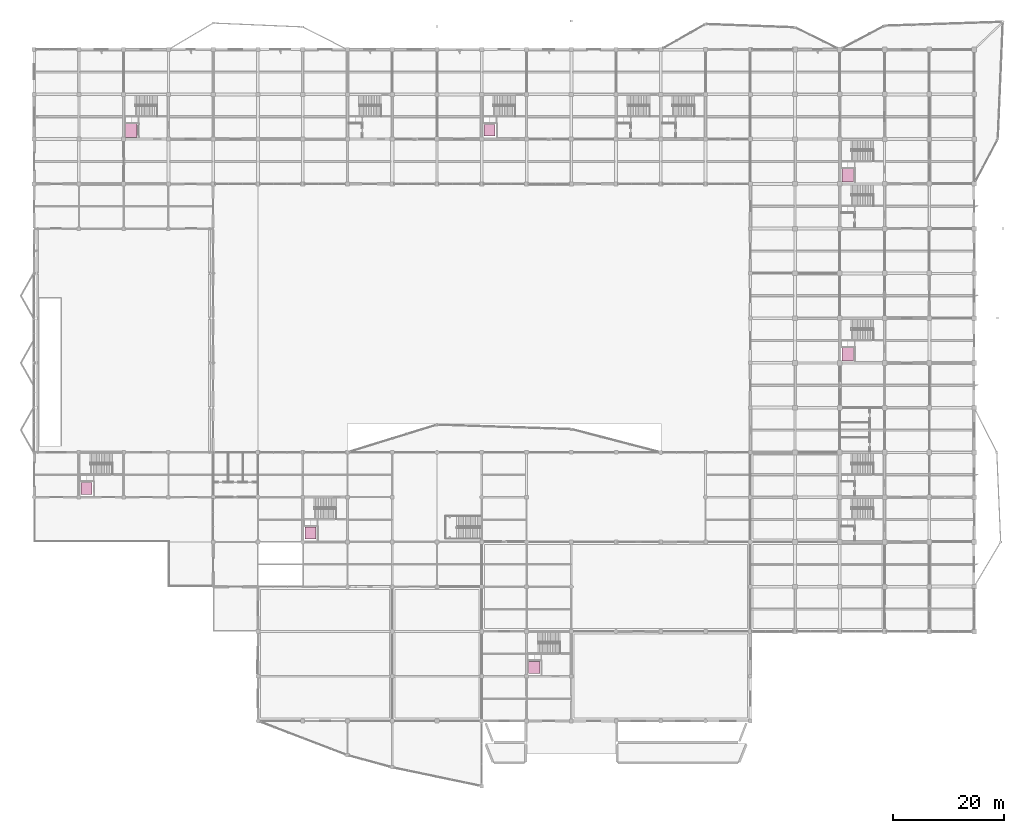
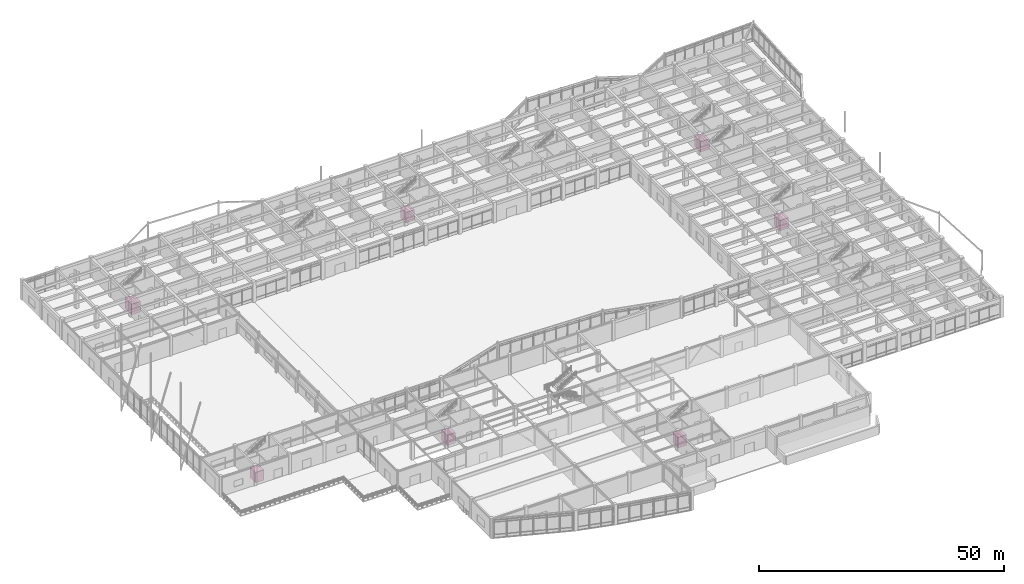
# One storey, part 99 of 99: 7 transport elements.
"""IFC4 building model written with IfcOpenShell, lengths in metres."""

import ifcopenshell
import ifcopenshell.guid

model = None  # the IFC model being written
_history = None  # IfcOwnerHistory: only IFC2X3 demands one
_inside = {}  # id of a spatial element -> (the spatial element, [elements in it])
_under = {}  # id of a project, library or spatial element -> (it, [spatial elements below it])
_declared = {}  # id of a project -> (the project, [libraries it declares])
_typed = {}  # id of a type object -> (the type object, [elements of that type])
_made_of = {}  # id of a material, layer set ... -> (it, [elements and type objects made of it])


def new_model(schema):
    """Start an empty IFC model of exactly this schema.

    Asked for "IFC4X3", IfcOpenShell would pick the latest addendum, in which some entities
    have other attributes; the version numbers below select the first issue.
    IFC2X3 requires an IfcOwnerHistory on every rooted entity: one is made here for all.
    """
    global model, _history
    if schema == "IFC4X3":
        model = ifcopenshell.file(schema_version=(4, 3, 0, 0))
    else:
        model = ifcopenshell.file(schema=schema)
    _inside.clear()
    _under.clear()
    _declared.clear()
    _typed.clear()
    _made_of.clear()
    _history = None
    if model.schema == "IFC2X3":
        org = make("IfcOrganization", Name="unknown")
        user = make(
            "IfcPersonAndOrganization",
            ThePerson=make("IfcPerson", FamilyName="unknown"),
            TheOrganization=org,
        )
        app = make(
            "IfcApplication",
            ApplicationDeveloper=org,
            Version="unknown",
            ApplicationFullName="unknown",
            ApplicationIdentifier="unknown",
        )
        _history = make(
            "IfcOwnerHistory",
            OwningUser=user,
            OwningApplication=app,
            ChangeAction="ADDED",
            CreationDate=0,
        )
    return model


def make(cls, **values):
    """One entity of the class cls with the attributes given. An attribute that is None is left unset."""
    return model.create_entity(
        cls, **{name: value for name, value in values.items() if value is not None}
    )


def rooted(cls, **values):
    """An entity with a GlobalId (a new one), such as an element, a storey or a relation."""
    return make(cls, GlobalId=ifcopenshell.guid.new(), OwnerHistory=_history, **values)


def si_unit(unit_type, name, prefix=None):
    """IfcSIUnit, for example si_unit("LENGTHUNIT", "METRE", prefix="MILLI")."""
    return make("IfcSIUnit", UnitType=unit_type, Prefix=prefix, Name=name)


def assignment(units):
    """IfcUnitAssignment: the units of a project."""
    return None if units is None else make("IfcUnitAssignment", Units=units)


def point(xyz):
    """IfcCartesianPoint."""
    return None if xyz is None else make("IfcCartesianPoint", Coordinates=xyz)


def direction(xyz):
    """IfcDirection."""
    return None if xyz is None else make("IfcDirection", DirectionRatios=xyz)


def frame(location, z_axis=None, x_axis=None):
    """IfcAxis2Placement3D, a coordinate frame: its origin and axes. An axis left out is left unset."""
    return make(
        "IfcAxis2Placement3D",
        Location=point(location),
        Axis=direction(z_axis),
        RefDirection=direction(x_axis),
    )


def frame_2d(location, x_axis=None):
    """IfcAxis2Placement2D, a coordinate frame in the plane: its origin and x axis."""
    return make(
        "IfcAxis2Placement2D", Location=point(location), RefDirection=direction(x_axis)
    )


def origin():
    """The frame at (0, 0, 0) with its axes left unset."""
    return frame((0.0, 0.0, 0.0))


def origin_2d():
    """The frame at (0, 0) in the plane with its x axis left unset."""
    return frame_2d((0.0, 0.0))


def place(relative_to, where):
    """IfcLocalPlacement: puts the frame where relative to a parent placement (None: the world)."""
    return make(
        "IfcLocalPlacement", PlacementRelTo=relative_to, RelativePlacement=where
    )


def context(
    kind, dimensions, precision=None, world=None, true_north=None, identifier=None
):
    """IfcGeometricRepresentationContext, for example the 3D "Model" context."""
    return make(
        "IfcGeometricRepresentationContext",
        ContextIdentifier=identifier,
        ContextType=kind,
        CoordinateSpaceDimension=dimensions,
        Precision=precision,
        WorldCoordinateSystem=world,
        TrueNorth=true_north,
    )


def subcontext(parent, identifier, kind, view, scale=None):
    """IfcGeometricRepresentationSubContext, for example "Body" below "Model"."""
    return make(
        "IfcGeometricRepresentationSubContext",
        ContextIdentifier=identifier,
        ContextType=kind,
        ParentContext=parent,
        TargetScale=scale,
        TargetView=view,
    )


def project(units=None, contexts=None):
    """IfcProject with its units and contexts."""
    return rooted(
        "IfcProject",
        Name="project",
        RepresentationContexts=contexts,
        UnitsInContext=assignment(units),
    )


def spatial(cls, under=None, at=None, **own):
    """A site, building, storey or space (cls), placed at a placement, below another one or the project."""
    s = rooted(cls, ObjectPlacement=at, **own)
    if under is not None:
        _under.setdefault(under.id(), (under, []))[1].append(s)
    return s


def profile(cls, at=None, kind="AREA", **sizes):
    """A parametric profile (cls). Its sizes go by their IFC names, for example OverallWidth=200.0."""
    return make(cls, ProfileType=kind, Position=at, **sizes)


def rectangle(**sizes):
    """IfcRectangleProfileDef."""
    return profile("IfcRectangleProfileDef", **sizes)


def extrude(swept, where, along, depth):
    """IfcExtrudedAreaSolid: the profile swept, set in the frame where, extruded along a direction by depth."""
    return make(
        "IfcExtrudedAreaSolid",
        SweptArea=swept,
        Position=where,
        ExtrudedDirection=direction(along),
        Depth=depth,
    )


def shape(context_of_items, identifier, shape_type, items):
    """IfcShapeRepresentation: the items that make up one representation, for example the "Body"."""
    return make(
        "IfcShapeRepresentation",
        ContextOfItems=context_of_items,
        RepresentationIdentifier=identifier,
        RepresentationType=shape_type,
        Items=items,
    )


def material(Name=None, Category=None):
    """IfcMaterial."""
    return make("IfcMaterial", Name=Name, Category=Category)


def made_of(thing, what):
    """Note that an element or type object is made of a material, layer set ...; save() writes the relation."""
    if what is not None:
        _made_of.setdefault(what.id(), (what, []))[1].append(thing)
    return thing


def type_object(cls, material=None, **own):
    """A type object (cls), such as IfcWallType, which elements share."""
    return made_of(rooted(cls, **own), material)


def element(
    cls,
    number,
    at=None,
    inside=None,
    cuts=None,
    type_object=None,
    material=None,
    context=None,
    identifier="Body",
    shape_type=None,
    held_by="IfcProductDefinitionShape",
    body=None,
    shapes=None,
    **own,
):
    """One element of the class cls, such as IfcWall. Its Tag is "e" and its number.

    at: its placement. inside: the storey or other place that contains it. cuts: it is an
    opening in that element (IfcRelVoidsElement). A single representation is given by context,
    identifier, shape_type and body (its items); several are given by shapes. held_by: the class
    of the entity that holds the representations. save() writes the other relations.
    """
    e = rooted(cls, Tag="e%d" % number, ObjectPlacement=at, **own)
    if body is not None:
        shapes = [shape(context, identifier, shape_type, body)]
    if shapes is not None:
        e.Representation = make(held_by, Representations=shapes)
    if inside is not None:
        _inside.setdefault(inside.id(), (inside, []))[1].append(e)
    if cuts is not None:
        rooted(
            "IfcRelVoidsElement", RelatingBuildingElement=cuts, RelatedOpeningElement=e
        )
    if type_object is not None:
        _typed.setdefault(type_object.id(), (type_object, []))[1].append(e)
    return made_of(e, material)


def aggregate(whole, parts):
    """IfcRelAggregates: a whole, such as a stair, and the parts it consists of."""
    return rooted("IfcRelAggregates", RelatingObject=whole, RelatedObjects=parts)


def save(model, path):
    """Write the relations noted so far, then the file.

    IfcRelAggregates (storeys below a building ...), IfcRelContainedInSpatialStructure (elements
    in a storey), IfcRelDefinesByType, IfcRelAssociatesMaterial and IfcRelDeclares: one each for
    every whole, place, type object, material and project.
    """
    for whole, parts in _under.values():
        aggregate(whole, parts)
    for where, things in _inside.values():
        rooted(
            "IfcRelContainedInSpatialStructure",
            RelatedElements=things,
            RelatingStructure=where,
        )
    for kind, things in _typed.values():
        rooted("IfcRelDefinesByType", RelatedObjects=things, RelatingType=kind)
    for what, things in _made_of.values():
        rooted("IfcRelAssociatesMaterial", RelatedObjects=things, RelatingMaterial=what)
    for by, libraries in _declared.values():
        rooted("IfcRelDeclares", RelatingContext=by, RelatedDefinitions=libraries)
    model.write(path)


model = new_model("IFC4")

# Units and contexts
model_context = context("Model", 3, precision=1e-05, world=origin(), true_north=direction((0.0, 1.0)))
body_context = subcontext(model_context, "Body", "Model", "MODEL_VIEW")
ifc_project = project(units=[si_unit("LENGTHUNIT", "METRE"), si_unit("AREAUNIT", "SQUARE_METRE"), si_unit("VOLUMEUNIT", "CUBIC_METRE"), si_unit("PLANEANGLEUNIT", "RADIAN"), si_unit("MASSUNIT", "GRAM", prefix="KILO")], contexts=[model_context])

# Site, building, storey
site_placement = place(None, origin())
site = spatial("IfcSite", under=ifc_project, at=site_placement, CompositionType="ELEMENT")
building_placement = place(site_placement, origin())
building = spatial("IfcBuilding", under=site, at=building_placement, Name="Vaudrelin Polytechnic", CompositionType="ELEMENT")
storey_placement = place(building_placement, origin())
storey = spatial("IfcBuildingStorey", under=building, at=storey_placement, Name="L00", CompositionType="ELEMENT", Elevation=0.0)

# Transport elements
ifc_material = material(Name="Brushed stainless steel cab assembly", Category="steel")
transport_element_type_1 = type_object("IfcTransportElementType", Name="TRN-LFT-FF", PredefinedType="ELEVATOR", material=ifc_material)
for number, where, z_axis, x_axis, name in (
    (1, (147.199951171875, 98.800048828125, 0.0), (0.0, 0.0, 1.0), (1.0, 0.0, 0.0), "Elevator car LF-06 (firefighter)"),
    (2, (147.199951171875, 66.39990234375, 0.0), (0.0, 0.0, 1.0), (1.0, 0.0, 0.0), "Elevator car LF-07 (firefighter)"),
):
    element("IfcTransportElement", number, at=place(storey_placement, frame(where, z_axis=z_axis, x_axis=x_axis)), inside=storey, type_object=transport_element_type_1, Name=name, PredefinedType="ELEVATOR", context=body_context, shape_type="SweptSolid", body=[
        extrude(rectangle(XDim=2.050048828125, YDim=2.449951171875, at=origin_2d()), origin(), (0.0, 0.0, 1.0), 2.60009765625),
    ])
transport_element_type_2 = type_object("IfcTransportElementType", Name="TRN-LFT-FRT", PredefinedType="ELEVATOR", material=ifc_material)
transport_element_placement = place(storey_placement, frame((17.60009765625, 106.89990234375, 0.0), z_axis=(0.0, 0.0, 1.0), x_axis=(1.0, 0.0, 0.0)))
element("IfcTransportElement", 3, at=transport_element_placement, inside=storey, type_object=transport_element_type_2, Name="Elevator car LF-01 (freight)", PredefinedType="ELEVATOR", context=body_context, shape_type="SweptSolid", body=[
    extrude(rectangle(XDim=2.10009765625, YDim=2.699951171875, at=origin_2d()), origin(), (0.0, 0.0, 1.0), 2.60009765625),
])
transport_element_type_3 = type_object("IfcTransportElementType", Name="TRN-LFT-PAX", PredefinedType="ELEVATOR", material=ifc_material)
for number, where, z_axis, x_axis, name in (
    (4, (82.39990234375, 106.89990234375, 0.0), (0.0, 0.0, 1.0), (1.0, 0.0, 0.0), "Elevator car LF-02 (passenger)"),
    (5, (9.5, 42.10009765625, 0.0), (0.0, 0.0, 1.0), (1.0, 0.0, 0.0), "Elevator car LF-03 (passenger)"),
    (6, (50.0, 34.0, 0.0), (0.0, 0.0, 1.0), (1.0, 0.0, 0.0), "Elevator car LF-04 (passenger)"),
    (7, (90.5, 9.699951171875, 0.0), (0.0, 0.0, 1.0), (1.0, 0.0, 0.0), "Elevator car LF-05 (service)"),
):
    element("IfcTransportElement", number, at=place(storey_placement, frame(where, z_axis=z_axis, x_axis=x_axis)), inside=storey, type_object=transport_element_type_3, Name=name, PredefinedType="ELEVATOR", context=body_context, shape_type="SweptSolid", body=[
        extrude(rectangle(XDim=2.0, YDim=2.14990234375, at=origin_2d()), origin(), (0.0, 0.0, 1.0), 2.60009765625),
    ])

save(model, "model.ifc")
